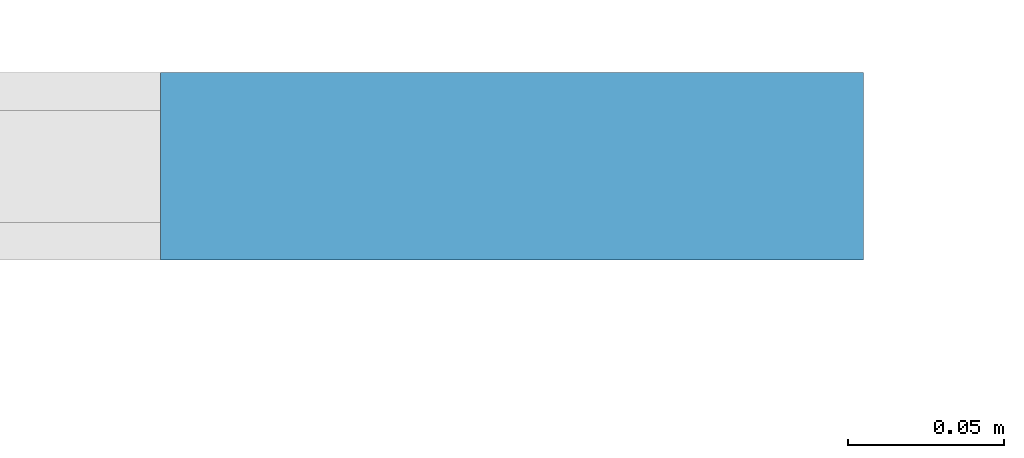
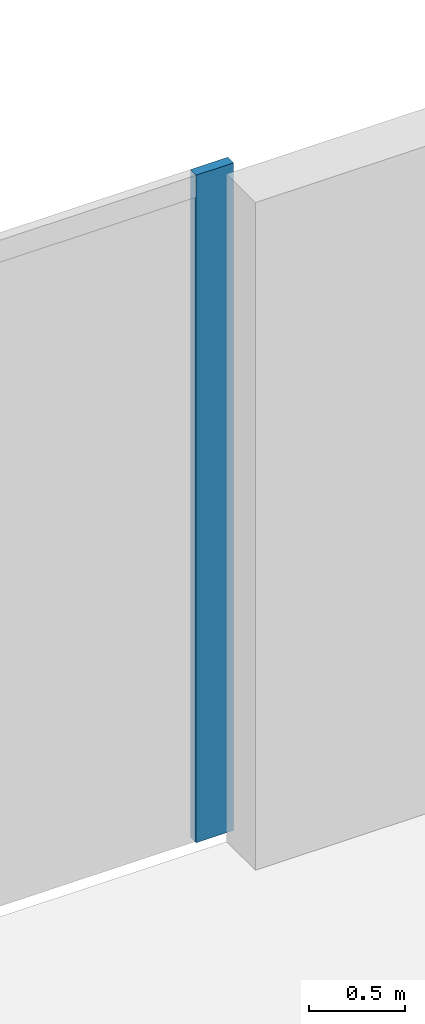
# One storey, part 22 of 47: 1 member, 1 element without a shape of its own.
"""IFC4 building model written with IfcOpenShell, lengths in metres."""

from ifc_helpers import new_model, si_unit, direction, frame, origin, origin_2d, place, context, subcontext, project, spatial, rectangle, extrude, material, layer, layer_set, material_profile, profile_set, type_object, element, aggregate, save


model = new_model("IFC4")

# Units and contexts
model_context = context("Model", 3, precision=1e-05, world=origin(), true_north=direction((0.0, 1.0)))
body_context = subcontext(model_context, "Body", "Model", "MODEL_VIEW")
ifc_project = project(units=[si_unit("LENGTHUNIT", "METRE"), si_unit("AREAUNIT", "SQUARE_METRE"), si_unit("VOLUMEUNIT", "CUBIC_METRE"), si_unit("PLANEANGLEUNIT", "RADIAN"), si_unit("MASSUNIT", "GRAM", prefix="KILO")], contexts=[model_context])

# Site, building, storey
site_placement = place(None, origin())
site = spatial("IfcSite", under=ifc_project, at=site_placement, CompositionType="ELEMENT")
building_placement = place(site_placement, origin())
building = spatial("IfcBuilding", under=site, at=building_placement, Name="Kheshtan School and Residences Tower", CompositionType="ELEMENT")
storey_placement = place(building_placement, frame((0.0, 0.0, 17.0)))
storey = spatial("IfcBuildingStorey", under=building, at=storey_placement, Name="L03", CompositionType="ELEMENT", Elevation=17.0)

# Curtain wall, member
ifc_material_1 = material(Name="Clear low-e glass in thermally broken aluminium frame", Category="aluminium")
ifc_layer = layer(ifc_material_1, 0.22509765625)
ifc_layer_set = layer_set([ifc_layer], Name="Curtain wall CW-P")
curtain_wall_type = type_object("IfcCurtainWallType", Name="Curtain wall CW-P", PredefinedType="NOTDEFINED", material=ifc_layer_set)
curtain_wall_placement = place(storey_placement, origin())
curtain_wall = element("IfcCurtainWall", 1, at=curtain_wall_placement, inside=storey, type_object=curtain_wall_type, Name="Curtain wall CWP4a", PredefinedType="NOTDEFINED")
ifc_material_2 = material(Name="Thermally broken aluminium, dark bronze anodised", Category="aluminium")
ifc_material_profile = material_profile(ifc_material_2, rectangle(XDim=0.06005859375, YDim=0.22509765625, at=origin_2d()), Name="CW-P mullion 60x225")
ifc_profile_set = profile_set([ifc_material_profile], Name="Thermally broken aluminium, dark bronze anodised")
member_type = type_object("IfcMemberType", Name="CW-P mullion 60x225", PredefinedType="MULLION", material=ifc_profile_set)
member_placement = place(storey_placement, frame((78.449951171875, 110.10009765625, 0.0), z_axis=(0.0, 0.0, 1.0), x_axis=(0.0, 1.0, 0.0)))
member = element("IfcMember", 2, at=member_placement, type_object=member_type, Name="CWP4a mullion 12", PredefinedType="MULLION", context=body_context, shape_type="SweptSolid", body=[
    extrude(rectangle(XDim=0.06005859375, YDim=0.22509765625, at=origin_2d()), origin(), (0.0, 0.0, 1.0), 4.25),
])
aggregate(curtain_wall, [member])

save(model, "model.ifc")
